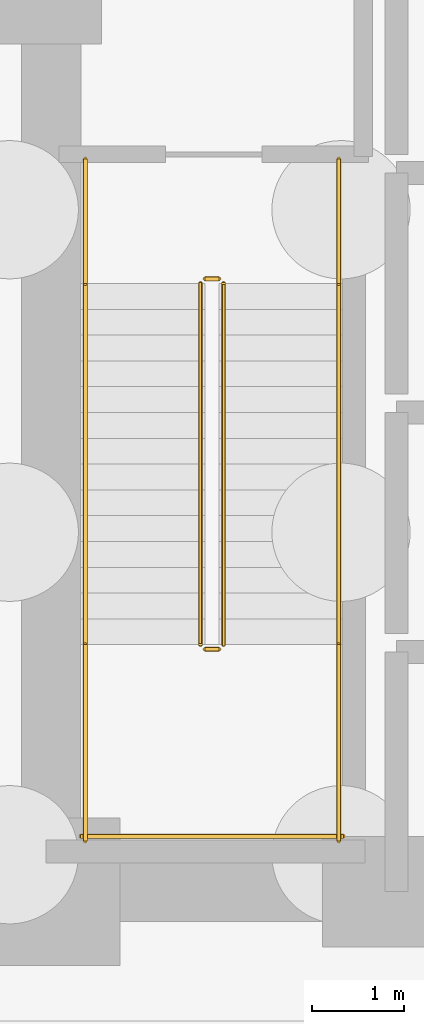
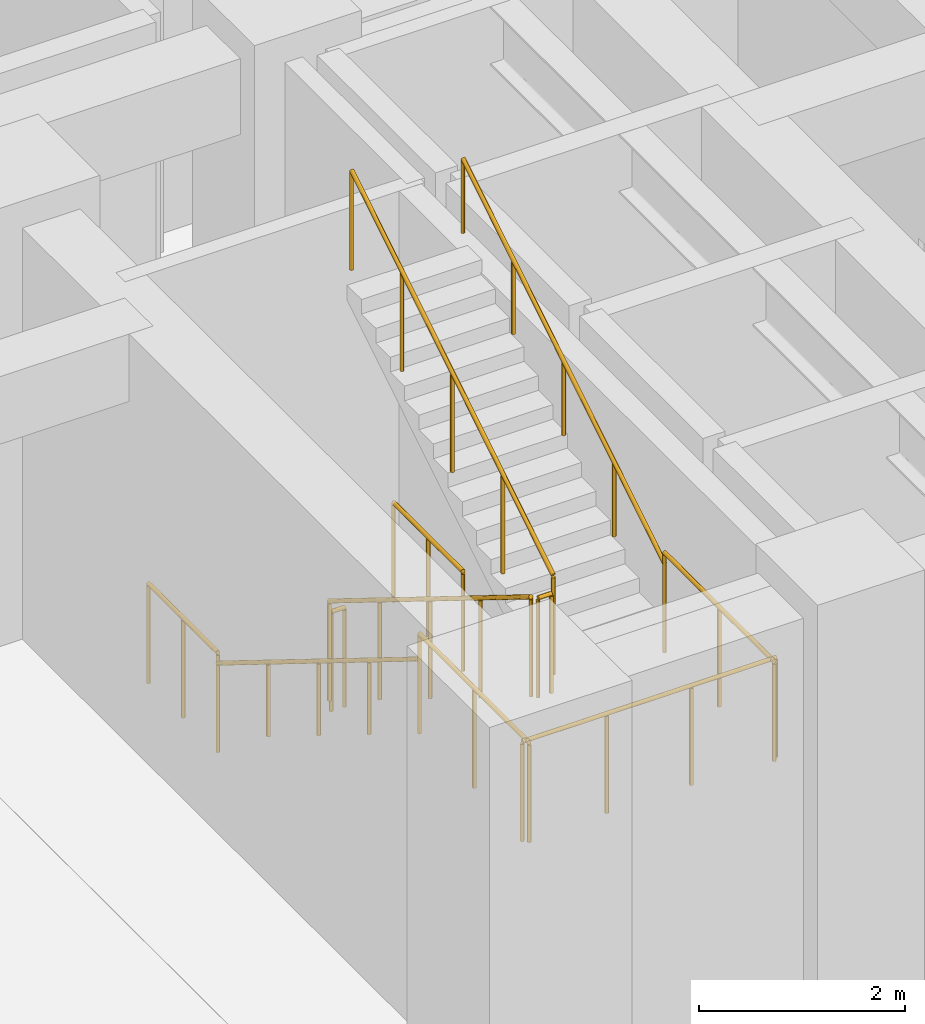
# One storey, part 9 of 11: 11 railings.
"""IFC4 building model written with IfcOpenShell, lengths in metres."""

from ifc_helpers import new_model, si_unit, direction, frame, origin, origin_2d, place, context, subcontext, project, spatial, circle, extrude, material, type_object, element, save


model = new_model("IFC4")

# Units and contexts
model_context = context("Model", 3, precision=1e-05, world=origin(), true_north=direction((0.0, 1.0)))
body_context = subcontext(model_context, "Body", "Model", "MODEL_VIEW")
ifc_project = project(units=[si_unit("LENGTHUNIT", "METRE"), si_unit("AREAUNIT", "SQUARE_METRE"), si_unit("VOLUMEUNIT", "CUBIC_METRE"), si_unit("PLANEANGLEUNIT", "RADIAN"), si_unit("MASSUNIT", "GRAM", prefix="KILO")], contexts=[model_context])

# Site, building, storey
site_placement = place(None, origin())
site = spatial("IfcSite", under=ifc_project, at=site_placement, CompositionType="ELEMENT")
building_placement = place(site_placement, origin())
building = spatial("IfcBuilding", under=site, at=building_placement, Name="Voryun Gate Residences", CompositionType="ELEMENT")
storey_placement = place(building_placement, frame((0.0, 0.0, -10.39990234375)))
storey = spatial("IfcBuildingStorey", under=building, at=storey_placement, Name="B02", CompositionType="ELEMENT", Elevation=-10.39990234375)

# Railings
ifc_material_1 = material(Name="Painted steel", Category="steel")
railing_type_1 = type_object("IfcRailingType", Name="RAIL_STAIR_GUARD_1200", PredefinedType="GUARDRAIL", material=ifc_material_1)
railing_1_placement = place(storey_placement, frame((-17.52490234375, -0.800048828125, 0.17333984375)))
element("IfcRailing", 1, at=railing_1_placement, inside=storey, type_object=railing_type_1, Name="B02 ST-W1 stair guard 1", PredefinedType="GUARDRAIL", context=body_context, shape_type="SweptSolid", body=[
    extrude(circle(Radius=0.02392578125, at=origin_2d()), frame((0.0, 0.0, 1.17578125), z_axis=(0.0, -0.850275303828, 0.526338206574), x_axis=(1.0, 0.0, 0.0)), (0.0, 0.0, 1.0), 4.610107421875),
    extrude(circle(Radius=0.02099609375, at=origin_2d()), origin(), (0.0, 0.0, 1.0), 1.15185546875),
    extrude(circle(Radius=0.02099609375, at=origin_2d()), frame((0.0, -0.97998046875, 0.606689453125)), (0.0, 0.0, 1.0), 1.15185546875),
    extrude(circle(Radius=0.02099609375, at=origin_2d()), frame((0.0, -1.9599609375, 1.21337890625)), (0.0, 0.0, 1.0), 1.15185546875),
    extrude(circle(Radius=0.02099609375, at=origin_2d()), frame((0.0, -2.93994140625, 1.81982421875)), (0.0, 0.0, 1.0), 1.15185546875),
    extrude(circle(Radius=0.02099609375, at=origin_2d()), frame((0.0, -3.919921875, 2.426513671875)), (0.0, 0.0, 1.0), 1.15185546875),
])
railing_2_placement = place(storey_placement, frame((-17.47509765625, -4.77001953125, 2.599853515625)))
element("IfcRailing", 2, at=railing_2_placement, inside=storey, type_object=railing_type_1, Name="B02 ST-W1 stair guard 2", PredefinedType="GUARDRAIL", context=body_context, shape_type="SweptSolid", body=[
    extrude(circle(Radius=0.02392578125, at=origin_2d()), frame((0.0, 0.0, 1.17578125), z_axis=(1.0, 0.0, 0.0), x_axis=(0.0, 1.0, 0.0)), (0.0, 0.0, 1.0), 0.150146484375),
    extrude(circle(Radius=0.02099609375, at=origin_2d()), origin(), (0.0, 0.0, 1.0), 1.15185546875),
    extrude(circle(Radius=0.02099609375, at=origin_2d()), frame((0.150146484375, 0.0, 0.0)), (0.0, 0.0, 1.0), 1.15185546875),
])
for number, where, name in (
    (3, (-18.77490234375, -4.719970703125, 2.599853515625), "B02 ST-W1 stair guard 3"),
    (4, (-16.02490234375, -4.719970703125, 2.599853515625), "B02 ST-W1 stair guard 4"),
):
    element("IfcRailing", number, at=place(storey_placement, frame(where)), inside=storey, type_object=railing_type_1, Name=name, PredefinedType="GUARDRAIL", context=body_context, shape_type="SweptSolid", body=[
        extrude(circle(Radius=0.02392578125, at=origin_2d()), frame((0.0, 0.0, 1.17578125), z_axis=(0.0, -1.0, 0.0), x_axis=(1.0, 0.0, 0.0)), (0.0, 0.0, 1.0), 2.130126953125),
        extrude(circle(Radius=0.02099609375, at=origin_2d()), origin(), (0.0, 0.0, 1.0), 1.15185546875),
        extrude(circle(Radius=0.02099609375, at=origin_2d()), frame((0.0, -1.06494140625, 0.0)), (0.0, 0.0, 1.0), 1.15185546875),
        extrude(circle(Radius=0.02099609375, at=origin_2d()), frame((0.0, -2.130126953125, 0.0)), (0.0, 0.0, 1.0), 1.15185546875),
    ])
railing_3_placement = place(storey_placement, frame((-18.824951171875, -6.800048828125, 2.599853515625)))
element("IfcRailing", 5, at=railing_3_placement, inside=storey, type_object=railing_type_1, Name="B02 ST-W1 stair guard 5", PredefinedType="GUARDRAIL", context=body_context, shape_type="SweptSolid", body=[
    extrude(circle(Radius=0.02392578125, at=origin_2d()), frame((0.0, 0.0, 1.17578125), z_axis=(1.0, 0.0, 0.0), x_axis=(0.0, 1.0, 0.0)), (0.0, 0.0, 1.0), 2.849853515625),
    extrude(circle(Radius=0.02099609375, at=origin_2d()), origin(), (0.0, 0.0, 1.0), 1.15185546875),
    extrude(circle(Radius=0.02099609375, at=origin_2d()), frame((0.949951171875, 0.0, 0.0)), (0.0, 0.0, 1.0), 1.15185546875),
    extrude(circle(Radius=0.02099609375, at=origin_2d()), frame((1.89990234375, 0.0, 0.0)), (0.0, 0.0, 1.0), 1.15185546875),
    extrude(circle(Radius=0.02099609375, at=origin_2d()), frame((2.849853515625, 0.0, 0.0)), (0.0, 0.0, 1.0), 1.15185546875),
])
railing_4_placement = place(storey_placement, frame((-17.27490234375, -4.719970703125, 2.773193359375)))
element("IfcRailing", 6, at=railing_4_placement, inside=storey, type_object=railing_type_1, Name="B02 ST-W1 stair guard 6", PredefinedType="GUARDRAIL", context=body_context, shape_type="SweptSolid", body=[
    extrude(circle(Radius=0.02392578125, at=origin_2d()), frame((0.0, 0.0, 1.17578125), z_axis=(0.0, 0.850251603719, 0.526376491091), x_axis=(-1.0, 0.0, 0.0)), (0.0, 0.0, 1.0), 4.6103515625),
    extrude(circle(Radius=0.02099609375, at=origin_2d()), origin(), (0.0, 0.0, 1.0), 1.15185546875),
    extrude(circle(Radius=0.02099609375, at=origin_2d()), frame((0.0, 0.97998046875, 0.606689453125)), (0.0, 0.0, 1.0), 1.15185546875),
    extrude(circle(Radius=0.02099609375, at=origin_2d()), frame((0.0, 1.9599609375, 1.21337890625)), (0.0, 0.0, 1.0), 1.15185546875),
    extrude(circle(Radius=0.02099609375, at=origin_2d()), frame((0.0, 2.93994140625, 1.820068359375)), (0.0, 0.0, 1.0), 1.15185546875),
    extrude(circle(Radius=0.02099609375, at=origin_2d()), frame((0.0, 3.919921875, 2.4267578125)), (0.0, 0.0, 1.0), 1.15185546875),
])
railing_5_placement = place(storey_placement, frame((-17.47509765625, -0.75, 0.0)))
element("IfcRailing", 7, at=railing_5_placement, inside=storey, type_object=railing_type_1, Name="B02 ST-W1 stair guard 7", PredefinedType="GUARDRAIL", context=body_context, shape_type="SweptSolid", body=[
    extrude(circle(Radius=0.02392578125, at=origin_2d()), frame((0.0, 0.0, 1.17578125), z_axis=(1.0, 0.0, 0.0), x_axis=(0.0, 1.0, 0.0)), (0.0, 0.0, 1.0), 0.150146484375),
    extrude(circle(Radius=0.02099609375, at=origin_2d()), origin(), (0.0, 0.0, 1.0), 1.15185546875),
    extrude(circle(Radius=0.02099609375, at=origin_2d()), frame((0.150146484375, 0.0, 0.0)), (0.0, 0.0, 1.0), 1.15185546875),
])
for number, where, name in (
    (8, (-18.77490234375, 0.550048828125, 0.0), "B02 ST-W1 stair guard 8"),
    (9, (-16.02490234375, 0.550048828125, 0.0), "B02 ST-W1 stair guard 9"),
):
    element("IfcRailing", number, at=place(storey_placement, frame(where)), inside=storey, type_object=railing_type_1, Name=name, PredefinedType="GUARDRAIL", context=body_context, shape_type="SweptSolid", body=[
        extrude(circle(Radius=0.02392578125, at=origin_2d()), frame((0.0, 0.0, 1.17578125), z_axis=(0.0, -1.0, 0.0), x_axis=(1.0, 0.0, 0.0)), (0.0, 0.0, 1.0), 1.35009765625),
        extrude(circle(Radius=0.02099609375, at=origin_2d()), origin(), (0.0, 0.0, 1.0), 1.15185546875),
        extrude(circle(Radius=0.02099609375, at=origin_2d()), frame((0.0, -0.675048828125, 0.0)), (0.0, 0.0, 1.0), 1.15185546875),
        extrude(circle(Radius=0.02099609375, at=origin_2d()), frame((0.0, -1.35009765625, 0.0)), (0.0, 0.0, 1.0), 1.15185546875),
    ])
ifc_material_2 = material(Name="Painted steel", Category="steel")
railing_type_2 = type_object("IfcRailingType", Name="RAIL_STAIR_HANDRAIL_900", PredefinedType="HANDRAIL", material=ifc_material_2)
railing_6_placement = place(storey_placement, frame((-18.77490234375, -0.800048828125, 0.17333984375)))
element("IfcRailing", 10, at=railing_6_placement, inside=storey, type_object=railing_type_2, Name="B02 ST-W1 stair handrail 1", PredefinedType="HANDRAIL", context=body_context, shape_type="SweptSolid", body=[
    extrude(circle(Radius=0.02392578125, at=origin_2d()), frame((0.0, 0.0, 0.8759765625), z_axis=(0.0, -0.850275303828, 0.526338206574), x_axis=(1.0, 0.0, 0.0)), (0.0, 0.0, 1.0), 4.610107421875),
    extrude(circle(Radius=0.02099609375, at=origin_2d()), origin(), (0.0, 0.0, 1.0), 0.851806640625),
    extrude(circle(Radius=0.02099609375, at=origin_2d()), frame((0.0, -0.97998046875, 0.606689453125)), (0.0, 0.0, 1.0), 0.851806640625),
    extrude(circle(Radius=0.02099609375, at=origin_2d()), frame((0.0, -1.9599609375, 1.21337890625)), (0.0, 0.0, 1.0), 0.851806640625),
    extrude(circle(Radius=0.02099609375, at=origin_2d()), frame((0.0, -2.93994140625, 1.81982421875)), (0.0, 0.0, 1.0), 0.851806640625),
    extrude(circle(Radius=0.02099609375, at=origin_2d()), frame((0.0, -3.919921875, 2.426513671875)), (0.0, 0.0, 1.0), 0.851806640625),
])
railing_7_placement = place(storey_placement, frame((-16.02490234375, -4.719970703125, 2.773193359375)))
element("IfcRailing", 11, at=railing_7_placement, inside=storey, type_object=railing_type_2, Name="B02 ST-W1 stair handrail 2", PredefinedType="HANDRAIL", context=body_context, shape_type="SweptSolid", body=[
    extrude(circle(Radius=0.02392578125, at=origin_2d()), frame((0.0, 0.0, 0.8759765625), z_axis=(0.0, 0.850251603719, 0.526376491091), x_axis=(-1.0, 0.0, 0.0)), (0.0, 0.0, 1.0), 4.6103515625),
    extrude(circle(Radius=0.02099609375, at=origin_2d()), origin(), (0.0, 0.0, 1.0), 0.851806640625),
    extrude(circle(Radius=0.02099609375, at=origin_2d()), frame((0.0, 0.97998046875, 0.606689453125)), (0.0, 0.0, 1.0), 0.851806640625),
    extrude(circle(Radius=0.02099609375, at=origin_2d()), frame((0.0, 1.9599609375, 1.21337890625)), (0.0, 0.0, 1.0), 0.851806640625),
    extrude(circle(Radius=0.02099609375, at=origin_2d()), frame((0.0, 2.93994140625, 1.820068359375)), (0.0, 0.0, 1.0), 0.851806640625),
    extrude(circle(Radius=0.02099609375, at=origin_2d()), frame((0.0, 3.919921875, 2.4267578125)), (0.0, 0.0, 1.0), 0.851806640625),
])

save(model, "model.ifc")
